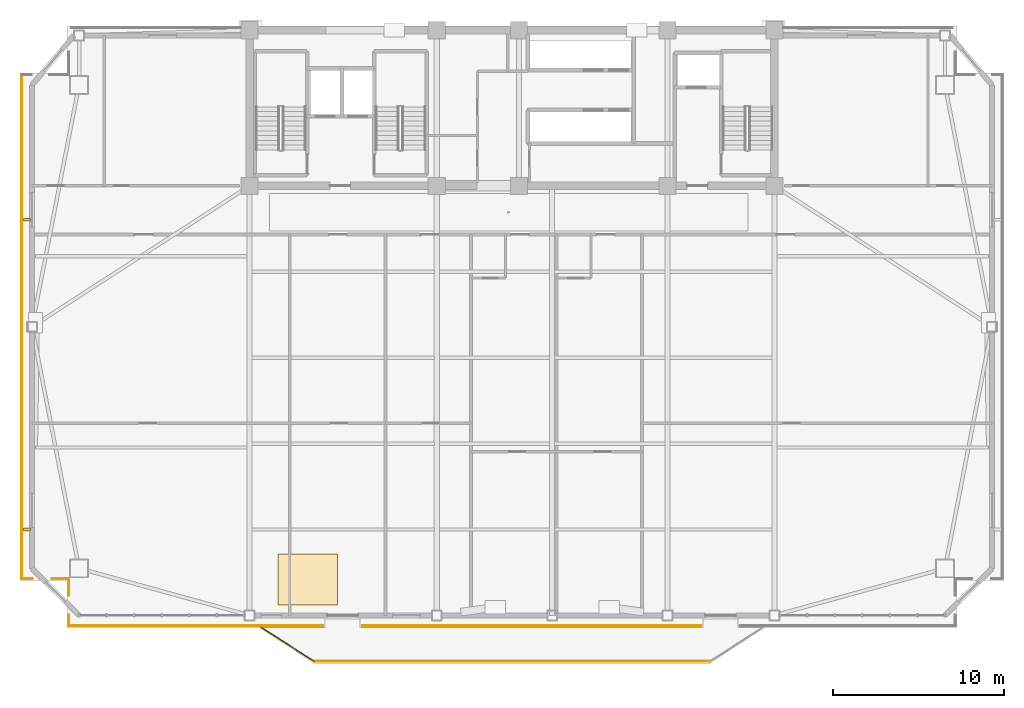
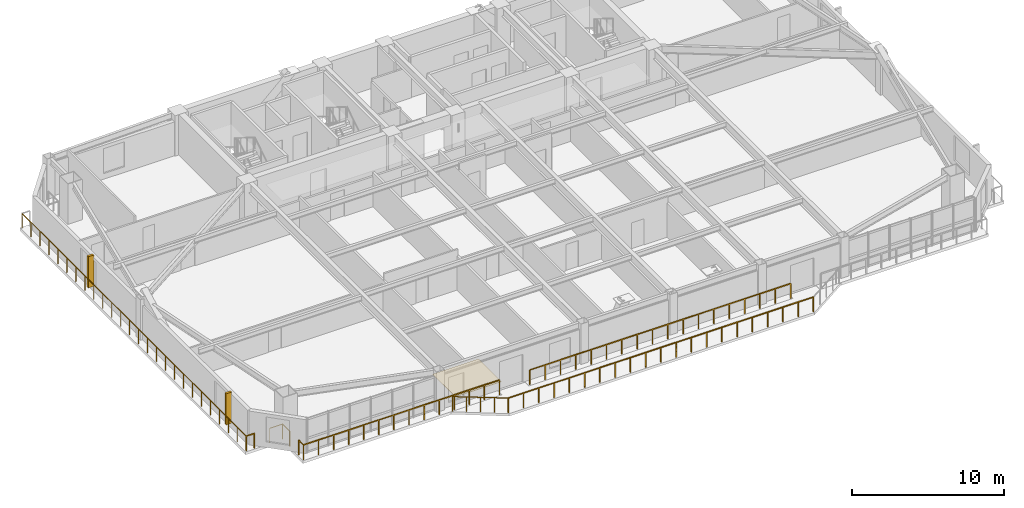
# One storey, part 13 of 17: 9 railings, 2 shading devices, 1 covering.
"""IFC4 building model written with IfcOpenShell, lengths in metres."""

from ifc_helpers import new_model, si_unit, direction, frame, origin, origin_2d, place, context, subcontext, project, spatial, polyline, rectangle, outline, extrude, source, transform, mapped, material, layer, layer_set, type_object, element, save


model = new_model("IFC4")

# Units and contexts
model_context = context("Model", 3, precision=1e-05, world=origin(), true_north=direction((0.0, 1.0)))
body_context = subcontext(model_context, "Body", "Model", "MODEL_VIEW")
ifc_project = project(units=[si_unit("LENGTHUNIT", "METRE"), si_unit("AREAUNIT", "SQUARE_METRE"), si_unit("VOLUMEUNIT", "CUBIC_METRE"), si_unit("PLANEANGLEUNIT", "RADIAN"), si_unit("MASSUNIT", "GRAM", prefix="KILO")], contexts=[model_context])

# Site, building, storey
site_placement = place(None, origin())
site = spatial("IfcSite", under=ifc_project, at=site_placement, CompositionType="ELEMENT")
building_placement = place(site_placement, origin())
building = spatial("IfcBuilding", under=site, at=building_placement, Name="Giltprow Tower", CompositionType="ELEMENT")
storey_placement = place(building_placement, frame((0.0, 0.0, 216.699951171875)))
storey = spatial("IfcBuildingStorey", under=building, at=storey_placement, Name="L55", CompositionType="ELEMENT", Elevation=216.699951171875)

# Covering
ifc_material_1 = material(Name="Engineered oak", Category="wood")
ifc_layer = layer(ifc_material_1, 0.02490234375, Name="Engineered oak")
ifc_layer_set = layer_set([ifc_layer], Name="Engineered oak")
covering_type = type_object("IfcCoveringType", Name="COV-FLR-TIMBER", PredefinedType="FLOORING", material=ifc_layer_set)
covering_placement = place(storey_placement, origin())
element("IfcCovering", 1, at=covering_placement, inside=storey, type_object=covering_type, Name="L55 Engineered Oak Guestroom Flooring", PredefinedType="FLOORING", context=body_context, shape_type="SweptSolid", body=[
    extrude(outline(polyline([(21.5, 12.91796875), (25.0, 12.91796875), (25.0, 15.91796875), (21.5, 15.91796875), (21.5, 12.91796875)])), origin(), (0.0, 0.0, 1.0), 0.025146484375),
])

# Railings
ifc_material_2 = material(Name="Anodized bronze", Category="metal")
railing_type = type_object("IfcRailingType", Name="RAIL-BALC-GUARD-1200", PredefinedType="BALUSTRADE", material=ifc_material_2)
railing_1_placement = place(storey_placement, frame((20.52001953125, 11.617919921875, 0.0)))
element("IfcRailing", 2, at=railing_1_placement, inside=storey, type_object=railing_type, Name="L55 Waterfront Balcony Balustrade Seg 1", PredefinedType="BALUSTRADE", context=body_context, shape_type="SweptSolid", body=[
    extrude(rectangle(XDim=0.048095703125, YDim=0.048095703125, at=origin_2d()), frame((0.0, 0.0, 1.17578125), z_axis=(0.84277487735, -0.538266203757, 0.0), x_axis=(0.538266203757, 0.84277487735, 0.0)), (0.0, 0.0, 1.0), 3.678466796875),
    extrude(rectangle(XDim=0.0419921875, YDim=0.0419921875, at=origin_2d()), origin(), (0.0, 0.0, 1.0), 1.15185546875),
    extrude(rectangle(XDim=0.0419921875, YDim=0.0419921875, at=origin_2d()), frame((0.77490234375, -0.4951171875, 0.0)), (0.0, 0.0, 1.0), 1.15185546875),
    extrude(rectangle(XDim=0.0419921875, YDim=0.0419921875, at=origin_2d()), frame((1.550048828125, -0.989990234375, 0.0)), (0.0, 0.0, 1.0), 1.15185546875),
    extrude(rectangle(XDim=0.0419921875, YDim=0.0419921875, at=origin_2d()), frame((2.3251953125, -1.48486328125, 0.0)), (0.0, 0.0, 1.0), 1.15185546875),
    extrude(rectangle(XDim=0.0419921875, YDim=0.0419921875, at=origin_2d()), frame((3.10009765625, -1.97998046875, 0.0)), (0.0, 0.0, 1.0), 1.15185546875),
])
railing_2_placement = place(storey_placement, frame((23.6201171875, 9.637939453125, 0.0)))
element("IfcRailing", 3, at=railing_2_placement, inside=storey, type_object=railing_type, Name="L55 Waterfront Balcony Balustrade Seg 2", PredefinedType="BALUSTRADE", context=body_context, shape_type="SweptSolid", body=[
    extrude(rectangle(XDim=0.048095703125, YDim=0.048095703125, at=origin_2d()), frame((0.0, 0.0, 1.17578125), z_axis=(1.0, 0.0, 0.0), x_axis=(0.0, 1.0, 0.0)), (0.0, 0.0, 1.0), 23.159912109375),
    extrude(rectangle(XDim=0.0419921875, YDim=0.0419921875, at=origin_2d()), origin(), (0.0, 0.0, 1.0), 1.15185546875),
    extrude(rectangle(XDim=0.0419921875, YDim=0.0419921875, at=origin_2d()), frame((1.157958984375, 0.0, 0.0)), (0.0, 0.0, 1.0), 1.15185546875),
    extrude(rectangle(XDim=0.0419921875, YDim=0.0419921875, at=origin_2d()), frame((2.31591796875, 0.0, 0.0)), (0.0, 0.0, 1.0), 1.15185546875),
    extrude(rectangle(XDim=0.0419921875, YDim=0.0419921875, at=origin_2d()), frame((3.473876953125, 0.0, 0.0)), (0.0, 0.0, 1.0), 1.15185546875),
    extrude(rectangle(XDim=0.0419921875, YDim=0.0419921875, at=origin_2d()), frame((4.632080078125, 0.0, 0.0)), (0.0, 0.0, 1.0), 1.15185546875),
    extrude(rectangle(XDim=0.0419921875, YDim=0.0419921875, at=origin_2d()), frame((5.7900390625, 0.0, 0.0)), (0.0, 0.0, 1.0), 1.15185546875),
    extrude(rectangle(XDim=0.0419921875, YDim=0.0419921875, at=origin_2d()), frame((6.947998046875, 0.0, 0.0)), (0.0, 0.0, 1.0), 1.15185546875),
    extrude(rectangle(XDim=0.0419921875, YDim=0.0419921875, at=origin_2d()), frame((8.10595703125, 0.0, 0.0)), (0.0, 0.0, 1.0), 1.15185546875),
    extrude(rectangle(XDim=0.0419921875, YDim=0.0419921875, at=origin_2d()), frame((9.263916015625, 0.0, 0.0)), (0.0, 0.0, 1.0), 1.15185546875),
    extrude(rectangle(XDim=0.0419921875, YDim=0.0419921875, at=origin_2d()), frame((10.421875, 0.0, 0.0)), (0.0, 0.0, 1.0), 1.15185546875),
    extrude(rectangle(XDim=0.0419921875, YDim=0.0419921875, at=origin_2d()), frame((11.580078125, 0.0, 0.0)), (0.0, 0.0, 1.0), 1.15185546875),
    extrude(rectangle(XDim=0.0419921875, YDim=0.0419921875, at=origin_2d()), frame((12.738037109375, 0.0, 0.0)), (0.0, 0.0, 1.0), 1.15185546875),
    extrude(rectangle(XDim=0.0419921875, YDim=0.0419921875, at=origin_2d()), frame((13.89599609375, 0.0, 0.0)), (0.0, 0.0, 1.0), 1.15185546875),
    extrude(rectangle(XDim=0.0419921875, YDim=0.0419921875, at=origin_2d()), frame((15.053955078125, 0.0, 0.0)), (0.0, 0.0, 1.0), 1.15185546875),
    extrude(rectangle(XDim=0.0419921875, YDim=0.0419921875, at=origin_2d()), frame((16.2119140625, 0.0, 0.0)), (0.0, 0.0, 1.0), 1.15185546875),
    extrude(rectangle(XDim=0.0419921875, YDim=0.0419921875, at=origin_2d()), frame((17.369873046875, 0.0, 0.0)), (0.0, 0.0, 1.0), 1.15185546875),
    extrude(rectangle(XDim=0.0419921875, YDim=0.0419921875, at=origin_2d()), frame((18.52783203125, 0.0, 0.0)), (0.0, 0.0, 1.0), 1.15185546875),
    extrude(rectangle(XDim=0.0419921875, YDim=0.0419921875, at=origin_2d()), frame((19.68603515625, 0.0, 0.0)), (0.0, 0.0, 1.0), 1.15185546875),
    extrude(rectangle(XDim=0.0419921875, YDim=0.0419921875, at=origin_2d()), frame((20.843994140625, 0.0, 0.0)), (0.0, 0.0, 1.0), 1.15185546875),
    extrude(rectangle(XDim=0.0419921875, YDim=0.0419921875, at=origin_2d()), frame((22.001953125, 0.0, 0.0)), (0.0, 0.0, 1.0), 1.15185546875),
    extrude(rectangle(XDim=0.0419921875, YDim=0.0419921875, at=origin_2d()), frame((23.159912109375, 0.0, 0.0)), (0.0, 0.0, 1.0), 1.15185546875),
])
railing_3_placement = place(storey_placement, frame((46.25, 11.718017578125, 0.0)))
element("IfcRailing", 4, at=railing_3_placement, inside=storey, type_object=railing_type, Name="L55 Corner Apron Edge Balustrade 7", PredefinedType="BALUSTRADE", context=body_context, shape_type="SweptSolid", body=[
    extrude(rectangle(XDim=0.048095703125, YDim=0.048095703125, at=origin_2d()), frame((0.0, 0.0, 1.17578125), z_axis=(-1.0, 0.0, 0.0), x_axis=(0.0, -1.0, 0.0)), (0.0, 0.0, 1.0), 19.800048828125),
    extrude(rectangle(XDim=0.0419921875, YDim=0.0419921875, at=origin_2d()), origin(), (0.0, 0.0, 1.0), 1.15185546875),
    extrude(rectangle(XDim=0.0419921875, YDim=0.0419921875, at=origin_2d()), frame((-1.164794921875, 0.0, 0.0)), (0.0, 0.0, 1.0), 1.15185546875),
    extrude(rectangle(XDim=0.0419921875, YDim=0.0419921875, at=origin_2d()), frame((-2.329345703125, 0.0, 0.0)), (0.0, 0.0, 1.0), 1.15185546875),
    extrude(rectangle(XDim=0.0419921875, YDim=0.0419921875, at=origin_2d()), frame((-3.494140625, 0.0, 0.0)), (0.0, 0.0, 1.0), 1.15185546875),
    extrude(rectangle(XDim=0.0419921875, YDim=0.0419921875, at=origin_2d()), frame((-4.658935546875, 0.0, 0.0)), (0.0, 0.0, 1.0), 1.15185546875),
    extrude(rectangle(XDim=0.0419921875, YDim=0.0419921875, at=origin_2d()), frame((-5.823486328125, 0.0, 0.0)), (0.0, 0.0, 1.0), 1.15185546875),
    extrude(rectangle(XDim=0.0419921875, YDim=0.0419921875, at=origin_2d()), frame((-6.98828125, 0.0, 0.0)), (0.0, 0.0, 1.0), 1.15185546875),
    extrude(rectangle(XDim=0.0419921875, YDim=0.0419921875, at=origin_2d()), frame((-8.153076171875, 0.0, 0.0)), (0.0, 0.0, 1.0), 1.15185546875),
    extrude(rectangle(XDim=0.0419921875, YDim=0.0419921875, at=origin_2d()), frame((-9.317626953125, 0.0, 0.0)), (0.0, 0.0, 1.0), 1.15185546875),
    extrude(rectangle(XDim=0.0419921875, YDim=0.0419921875, at=origin_2d()), frame((-10.482421875, 0.0, 0.0)), (0.0, 0.0, 1.0), 1.15185546875),
    extrude(rectangle(XDim=0.0419921875, YDim=0.0419921875, at=origin_2d()), frame((-11.64697265625, 0.0, 0.0)), (0.0, 0.0, 1.0), 1.15185546875),
    extrude(rectangle(XDim=0.0419921875, YDim=0.0419921875, at=origin_2d()), frame((-12.811767578125, 0.0, 0.0)), (0.0, 0.0, 1.0), 1.15185546875),
    extrude(rectangle(XDim=0.0419921875, YDim=0.0419921875, at=origin_2d()), frame((-13.9765625, 0.0, 0.0)), (0.0, 0.0, 1.0), 1.15185546875),
    extrude(rectangle(XDim=0.0419921875, YDim=0.0419921875, at=origin_2d()), frame((-15.14111328125, 0.0, 0.0)), (0.0, 0.0, 1.0), 1.15185546875),
    extrude(rectangle(XDim=0.0419921875, YDim=0.0419921875, at=origin_2d()), frame((-16.305908203125, 0.0, 0.0)), (0.0, 0.0, 1.0), 1.15185546875),
    extrude(rectangle(XDim=0.0419921875, YDim=0.0419921875, at=origin_2d()), frame((-17.470703125, 0.0, 0.0)), (0.0, 0.0, 1.0), 1.15185546875),
    extrude(rectangle(XDim=0.0419921875, YDim=0.0419921875, at=origin_2d()), frame((-18.63525390625, 0.0, 0.0)), (0.0, 0.0, 1.0), 1.15185546875),
    extrude(rectangle(XDim=0.0419921875, YDim=0.0419921875, at=origin_2d()), frame((-19.800048828125, 0.0, 0.0)), (0.0, 0.0, 1.0), 1.15185546875),
])
railing_4_placement = place(storey_placement, frame((24.14990234375, 11.718017578125, 0.0)))
element("IfcRailing", 5, at=railing_4_placement, inside=storey, type_object=railing_type, Name="L55 Corner Apron Edge Balustrade 8", PredefinedType="BALUSTRADE", context=body_context, shape_type="SweptSolid", body=[
    extrude(rectangle(XDim=0.048095703125, YDim=0.048095703125, at=origin_2d()), frame((0.0, 0.0, 1.17578125), z_axis=(-1.0, 0.0, 0.0), x_axis=(0.0, -1.0, 0.0)), (0.0, 0.0, 1.0), 14.8779296875),
    extrude(rectangle(XDim=0.0419921875, YDim=0.0419921875, at=origin_2d()), origin(), (0.0, 0.0, 1.0), 1.15185546875),
    extrude(rectangle(XDim=0.0419921875, YDim=0.0419921875, at=origin_2d()), frame((-1.14453125, 0.0, 0.0)), (0.0, 0.0, 1.0), 1.15185546875),
    extrude(rectangle(XDim=0.0419921875, YDim=0.0419921875, at=origin_2d()), frame((-2.288818359375, 0.0, 0.0)), (0.0, 0.0, 1.0), 1.15185546875),
    extrude(rectangle(XDim=0.0419921875, YDim=0.0419921875, at=origin_2d()), frame((-3.433349609375, 0.0, 0.0)), (0.0, 0.0, 1.0), 1.15185546875),
    extrude(rectangle(XDim=0.0419921875, YDim=0.0419921875, at=origin_2d()), frame((-4.577880859375, 0.0, 0.0)), (0.0, 0.0, 1.0), 1.15185546875),
    extrude(rectangle(XDim=0.0419921875, YDim=0.0419921875, at=origin_2d()), frame((-5.72216796875, 0.0, 0.0)), (0.0, 0.0, 1.0), 1.15185546875),
    extrude(rectangle(XDim=0.0419921875, YDim=0.0419921875, at=origin_2d()), frame((-6.86669921875, 0.0, 0.0)), (0.0, 0.0, 1.0), 1.15185546875),
    extrude(rectangle(XDim=0.0419921875, YDim=0.0419921875, at=origin_2d()), frame((-8.01123046875, 0.0, 0.0)), (0.0, 0.0, 1.0), 1.15185546875),
    extrude(rectangle(XDim=0.0419921875, YDim=0.0419921875, at=origin_2d()), frame((-9.15576171875, 0.0, 0.0)), (0.0, 0.0, 1.0), 1.15185546875),
    extrude(rectangle(XDim=0.0419921875, YDim=0.0419921875, at=origin_2d()), frame((-10.300048828125, 0.0, 0.0)), (0.0, 0.0, 1.0), 1.15185546875),
    extrude(rectangle(XDim=0.0419921875, YDim=0.0419921875, at=origin_2d()), frame((-11.444580078125, 0.0, 0.0)), (0.0, 0.0, 1.0), 1.15185546875),
    extrude(rectangle(XDim=0.0419921875, YDim=0.0419921875, at=origin_2d()), frame((-12.589111328125, 0.0, 0.0)), (0.0, 0.0, 1.0), 1.15185546875),
    extrude(rectangle(XDim=0.0419921875, YDim=0.0419921875, at=origin_2d()), frame((-13.7333984375, 0.0, 0.0)), (0.0, 0.0, 1.0), 1.15185546875),
    extrude(rectangle(XDim=0.0419921875, YDim=0.0419921875, at=origin_2d()), frame((-14.8779296875, 0.0, 0.0)), (0.0, 0.0, 1.0), 1.15185546875),
])
railing_5_placement = place(storey_placement, frame((9.27197265625, 11.718017578125, 0.0)))
element("IfcRailing", 6, at=railing_5_placement, inside=storey, type_object=railing_type, Name="L55 Corner Apron Edge Balustrade 9", PredefinedType="BALUSTRADE", context=body_context, shape_type="SweptSolid", body=[
    extrude(rectangle(XDim=0.048095703125, YDim=0.048095703125, at=origin_2d()), frame((0.0, 0.0, 1.17578125), z_axis=(0.0, 1.0, 0.0), x_axis=(-1.0, 0.0, 0.0)), (0.0, 0.0, 1.0), 0.619873046875),
    extrude(rectangle(XDim=0.0419921875, YDim=0.0419921875, at=origin_2d()), origin(), (0.0, 0.0, 1.0), 1.15185546875),
    extrude(rectangle(XDim=0.0419921875, YDim=0.0419921875, at=origin_2d()), frame((0.0, 0.619873046875, 0.0)), (0.0, 0.0, 1.0), 1.15185546875),
])
railing_6_placement = place(storey_placement, frame((9.27197265625, 13.498046875, 0.0)))
element("IfcRailing", 7, at=railing_6_placement, inside=storey, type_object=railing_type, Name="L55 Corner Apron Edge Balustrade 10", PredefinedType="BALUSTRADE", context=body_context, shape_type="SweptSolid", body=[
    extrude(rectangle(XDim=0.048095703125, YDim=0.048095703125, at=origin_2d()), frame((0.0, 0.0, 1.17578125), z_axis=(0.0, 1.0, 0.0), x_axis=(-1.0, 0.0, 0.0)), (0.0, 0.0, 1.0), 0.973876953125),
    extrude(rectangle(XDim=0.0419921875, YDim=0.0419921875, at=origin_2d()), origin(), (0.0, 0.0, 1.0), 1.15185546875),
    extrude(rectangle(XDim=0.0419921875, YDim=0.0419921875, at=origin_2d()), frame((0.0, 0.973876953125, 0.0)), (0.0, 0.0, 1.0), 1.15185546875),
])
railing_7_placement = place(storey_placement, frame((9.27197265625, 14.471923828125, 0.0)))
element("IfcRailing", 8, at=railing_7_placement, inside=storey, type_object=railing_type, Name="L55 Corner Apron Edge Balustrade 11", PredefinedType="BALUSTRADE", context=body_context, shape_type="SweptSolid", body=[
    extrude(rectangle(XDim=0.048095703125, YDim=0.048095703125, at=origin_2d()), frame((0.0, 0.0, 1.17578125), z_axis=(-1.0, 0.0, 0.0), x_axis=(0.0, -1.0, 0.0)), (0.0, 0.0, 1.0), 0.973876953125),
    extrude(rectangle(XDim=0.0419921875, YDim=0.0419921875, at=origin_2d()), origin(), (0.0, 0.0, 1.0), 1.15185546875),
    extrude(rectangle(XDim=0.0419921875, YDim=0.0419921875, at=origin_2d()), frame((-0.973876953125, 0.0, 0.0)), (0.0, 0.0, 1.0), 1.15185546875),
])
railing_8_placement = place(storey_placement, frame((7.137939453125, 14.471923828125, 0.0)))
element("IfcRailing", 9, at=railing_8_placement, inside=storey, type_object=railing_type, Name="L55 Corner Apron Edge Balustrade 12", PredefinedType="BALUSTRADE", context=body_context, shape_type="SweptSolid", body=[
    extrude(rectangle(XDim=0.048095703125, YDim=0.048095703125, at=origin_2d()), frame((0.0, 0.0, 1.17578125), z_axis=(-1.0, 0.0, 0.0), x_axis=(0.0, -1.0, 0.0)), (0.0, 0.0, 1.0), 0.619873046875),
    extrude(rectangle(XDim=0.0419921875, YDim=0.0419921875, at=origin_2d()), origin(), (0.0, 0.0, 1.0), 1.15185546875),
    extrude(rectangle(XDim=0.0419921875, YDim=0.0419921875, at=origin_2d()), frame((-0.619873046875, 0.0, 0.0)), (0.0, 0.0, 1.0), 1.15185546875),
])
railing_9_placement = place(storey_placement, frame((6.51806640625, 14.471923828125, 0.0)))
element("IfcRailing", 10, at=railing_9_placement, inside=storey, type_object=railing_type, Name="L55 Corner Apron Edge Balustrade 13", PredefinedType="BALUSTRADE", context=body_context, shape_type="SweptSolid", body=[
    extrude(rectangle(XDim=0.048095703125, YDim=0.048095703125, at=origin_2d()), frame((0.0, 0.0, 1.17578125), z_axis=(0.0, 1.0, 0.0), x_axis=(-1.0, 0.0, 0.0)), (0.0, 0.0, 1.0), 29.47412109375),
    extrude(rectangle(XDim=0.0419921875, YDim=0.0419921875, at=origin_2d()), origin(), (0.0, 0.0, 1.0), 1.15185546875),
    extrude(rectangle(XDim=0.0419921875, YDim=0.0419921875, at=origin_2d()), frame((0.0, 1.178955078125, 0.0)), (0.0, 0.0, 1.0), 1.15185546875),
    extrude(rectangle(XDim=0.0419921875, YDim=0.0419921875, at=origin_2d()), frame((0.0, 2.35791015625, 0.0)), (0.0, 0.0, 1.0), 1.15185546875),
    extrude(rectangle(XDim=0.0419921875, YDim=0.0419921875, at=origin_2d()), frame((0.0, 3.536865234375, 0.0)), (0.0, 0.0, 1.0), 1.15185546875),
    extrude(rectangle(XDim=0.0419921875, YDim=0.0419921875, at=origin_2d()), frame((0.0, 4.7158203125, 0.0)), (0.0, 0.0, 1.0), 1.15185546875),
    extrude(rectangle(XDim=0.0419921875, YDim=0.0419921875, at=origin_2d()), frame((0.0, 5.894775390625, 0.0)), (0.0, 0.0, 1.0), 1.15185546875),
    extrude(rectangle(XDim=0.0419921875, YDim=0.0419921875, at=origin_2d()), frame((0.0, 7.07373046875, 0.0)), (0.0, 0.0, 1.0), 1.15185546875),
    extrude(rectangle(XDim=0.0419921875, YDim=0.0419921875, at=origin_2d()), frame((0.0, 8.252685546875, 0.0)), (0.0, 0.0, 1.0), 1.15185546875),
    extrude(rectangle(XDim=0.0419921875, YDim=0.0419921875, at=origin_2d()), frame((0.0, 9.431640625, 0.0)), (0.0, 0.0, 1.0), 1.15185546875),
    extrude(rectangle(XDim=0.0419921875, YDim=0.0419921875, at=origin_2d()), frame((0.0, 10.610595703125, 0.0)), (0.0, 0.0, 1.0), 1.15185546875),
    extrude(rectangle(XDim=0.0419921875, YDim=0.0419921875, at=origin_2d()), frame((0.0, 11.78955078125, 0.0)), (0.0, 0.0, 1.0), 1.15185546875),
    extrude(rectangle(XDim=0.0419921875, YDim=0.0419921875, at=origin_2d()), frame((0.0, 12.968505859375, 0.0)), (0.0, 0.0, 1.0), 1.15185546875),
    extrude(rectangle(XDim=0.0419921875, YDim=0.0419921875, at=origin_2d()), frame((0.0, 14.1474609375, 0.0)), (0.0, 0.0, 1.0), 1.15185546875),
    extrude(rectangle(XDim=0.0419921875, YDim=0.0419921875, at=origin_2d()), frame((0.0, 15.32666015625, 0.0)), (0.0, 0.0, 1.0), 1.15185546875),
    extrude(rectangle(XDim=0.0419921875, YDim=0.0419921875, at=origin_2d()), frame((0.0, 16.505615234375, 0.0)), (0.0, 0.0, 1.0), 1.15185546875),
    extrude(rectangle(XDim=0.0419921875, YDim=0.0419921875, at=origin_2d()), frame((0.0, 17.6845703125, 0.0)), (0.0, 0.0, 1.0), 1.15185546875),
    extrude(rectangle(XDim=0.0419921875, YDim=0.0419921875, at=origin_2d()), frame((0.0, 18.863525390625, 0.0)), (0.0, 0.0, 1.0), 1.15185546875),
    extrude(rectangle(XDim=0.0419921875, YDim=0.0419921875, at=origin_2d()), frame((0.0, 20.04248046875, 0.0)), (0.0, 0.0, 1.0), 1.15185546875),
    extrude(rectangle(XDim=0.0419921875, YDim=0.0419921875, at=origin_2d()), frame((0.0, 21.221435546875, 0.0)), (0.0, 0.0, 1.0), 1.15185546875),
    extrude(rectangle(XDim=0.0419921875, YDim=0.0419921875, at=origin_2d()), frame((0.0, 22.400390625, 0.0)), (0.0, 0.0, 1.0), 1.15185546875),
    extrude(rectangle(XDim=0.0419921875, YDim=0.0419921875, at=origin_2d()), frame((0.0, 23.579345703125, 0.0)), (0.0, 0.0, 1.0), 1.15185546875),
    extrude(rectangle(XDim=0.0419921875, YDim=0.0419921875, at=origin_2d()), frame((0.0, 24.75830078125, 0.0)), (0.0, 0.0, 1.0), 1.15185546875),
    extrude(rectangle(XDim=0.0419921875, YDim=0.0419921875, at=origin_2d()), frame((0.0, 25.937255859375, 0.0)), (0.0, 0.0, 1.0), 1.15185546875),
    extrude(rectangle(XDim=0.0419921875, YDim=0.0419921875, at=origin_2d()), frame((0.0, 27.1162109375, 0.0)), (0.0, 0.0, 1.0), 1.15185546875),
    extrude(rectangle(XDim=0.0419921875, YDim=0.0419921875, at=origin_2d()), frame((0.0, 28.295166015625, 0.0)), (0.0, 0.0, 1.0), 1.15185546875),
    extrude(rectangle(XDim=0.0419921875, YDim=0.0419921875, at=origin_2d()), frame((0.0, 29.47412109375, 0.0)), (0.0, 0.0, 1.0), 1.15185546875),
])

# Shading devices
shading_device_type = type_object("IfcShadingDeviceType", Name="SHD-FIN-420", PredefinedType="USERDEFINED", material=ifc_material_2)
shared_shape = source(origin(), body_context, "Body", "SweptSolid", [
    extrude(rectangle(XDim=0.419921875, YDim=0.159912109375, at=origin_2d()), origin(), (0.0, 0.0, 1.0), 2.5),
])
for number, where, z_axis, x_axis, name in (
    (11, (6.818115234375, 17.343017578125, 0.35009765625), (0.0, 0.0, 1.0), (1.0, 0.0, 0.0), "L55 W Bronze Vertical Fin 1-1"),
    (12, (6.818115234375, 35.471923828125, 0.35009765625), (0.0, 0.0, 1.0), (1.0, 0.0, 0.0), "L55 W Bronze Vertical Fin 2-1"),
):
    element("IfcShadingDevice", number, at=place(storey_placement, frame(where, z_axis=z_axis, x_axis=x_axis)), inside=storey, type_object=shading_device_type, Name=name, ObjectType="FIN", PredefinedType="USERDEFINED", context=body_context, shape_type="MappedRepresentation", body=[
        mapped(shared_shape, transform((0.0, 0.0, 0.0), x_axis=(1.0, 0.0, 0.0), y_axis=(0.0, 1.0, 0.0), z_axis=(0.0, 0.0, 1.0), scale=1.0)),
    ])

save(model, "model.ifc")
